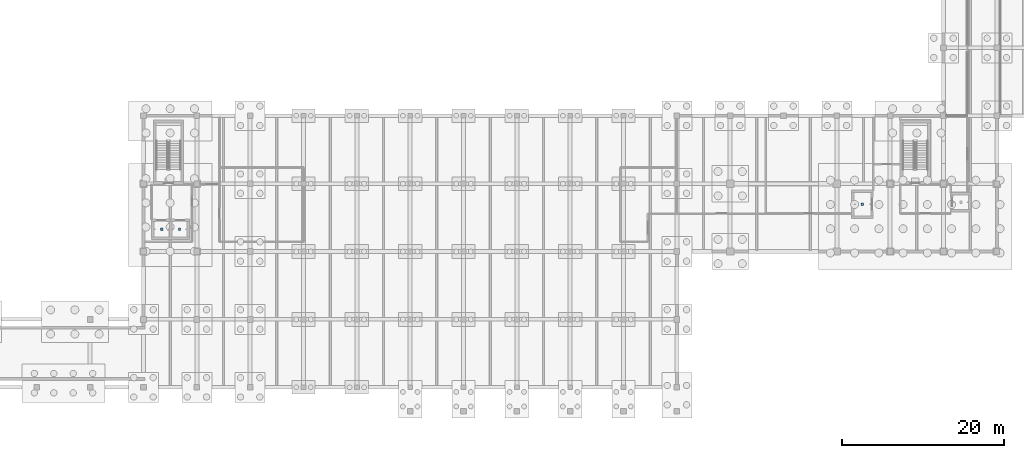
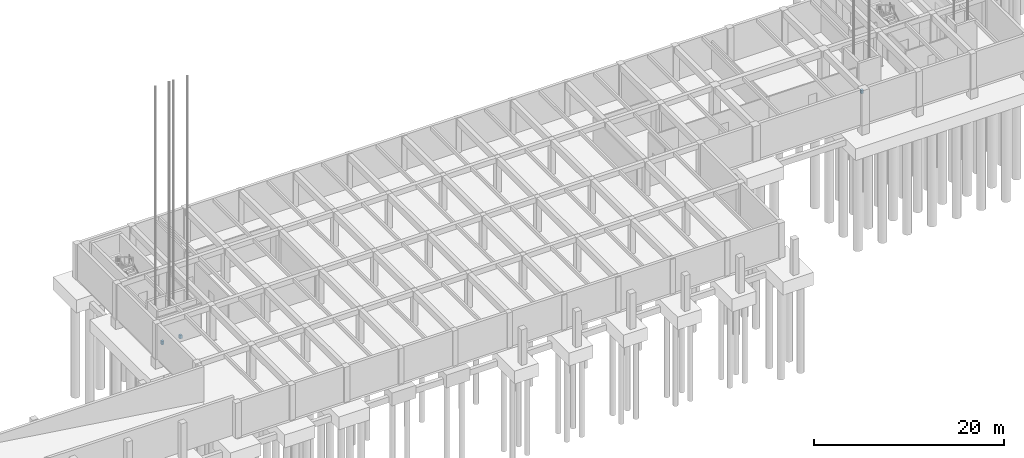
# One storey, part 40 of 44: 3 discrete accessories.
"""IFC4 building model written with IfcOpenShell, lengths in metres."""

from ifc_helpers import new_model, si_unit, direction, frame, origin, origin_2d, place, context, subcontext, project, spatial, rectangle, extrude, material, type_object, element, save


model = new_model("IFC4")

# Units and contexts
model_context = context("Model", 3, precision=1e-05, world=origin(), true_north=direction((0.0, 1.0)))
body_context = subcontext(model_context, "Body", "Model", "MODEL_VIEW")
ifc_project = project(units=[si_unit("LENGTHUNIT", "METRE"), si_unit("AREAUNIT", "SQUARE_METRE"), si_unit("VOLUMEUNIT", "CUBIC_METRE"), si_unit("PLANEANGLEUNIT", "RADIAN"), si_unit("MASSUNIT", "GRAM", prefix="KILO")], contexts=[model_context])

# Site, building, storey
site_placement = place(None, origin())
site = spatial("IfcSite", under=ifc_project, at=site_placement, CompositionType="ELEMENT")
building_placement = place(site_placement, origin())
building = spatial("IfcBuilding", under=site, at=building_placement, Name="Kolvaren Faculty of Natural Sciences", CompositionType="ELEMENT")
storey_placement = place(building_placement, frame((0.0, 0.0, -4.5)))
storey = spatial("IfcBuildingStorey", under=building, at=storey_placement, Name="B01", CompositionType="ELEMENT", Elevation=-4.5)

# Discrete accessories
ifc_material = material(Name="Structural steel EN 10025-2 S355J2", Category="steel")
discrete_accessory_type = type_object("IfcDiscreteAccessoryType", Name="LiftPitBuffer_Spring", PredefinedType="USERDEFINED", material=ifc_material)
for number, where, z_axis, x_axis, name in (
    (1, (122.14990234375, 31.25, -0.81982421875), (0.0, 0.0, 1.0), (1.0, 0.0, 0.0), "Lift GL-1 hydraulic pit buffer"),
    (2, (35.449951171875, 28.14990234375, -0.81982421875), (0.0, 0.0, 1.0), (1.0, 0.0, 0.0), "Lift PL-2 hydraulic pit buffer"),
    (3, (37.64990234375, 28.14990234375, -0.81982421875), (0.0, 0.0, 1.0), (1.0, 0.0, 0.0), "Lift PL-4 hydraulic pit buffer"),
):
    element("IfcDiscreteAccessory", number, at=place(storey_placement, frame(where, z_axis=z_axis, x_axis=x_axis)), inside=storey, type_object=discrete_accessory_type, Name=name, ObjectType="BUFFER", PredefinedType="USERDEFINED", context=body_context, shape_type="SweptSolid", body=[
        extrude(rectangle(XDim=0.280029296875, YDim=0.280029296875, at=origin_2d()), origin(), (0.0, 0.0, 1.0), 0.449951171875),
    ])

save(model, "model.ifc")
